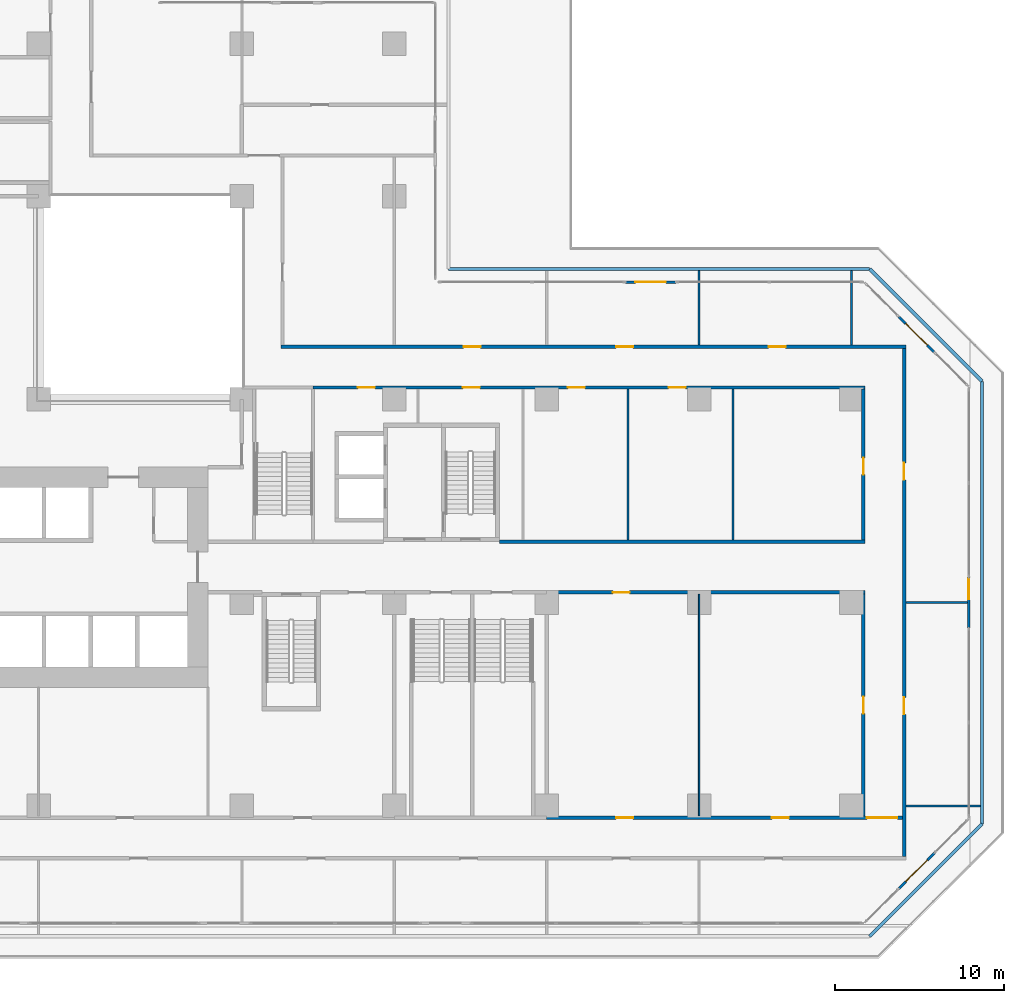
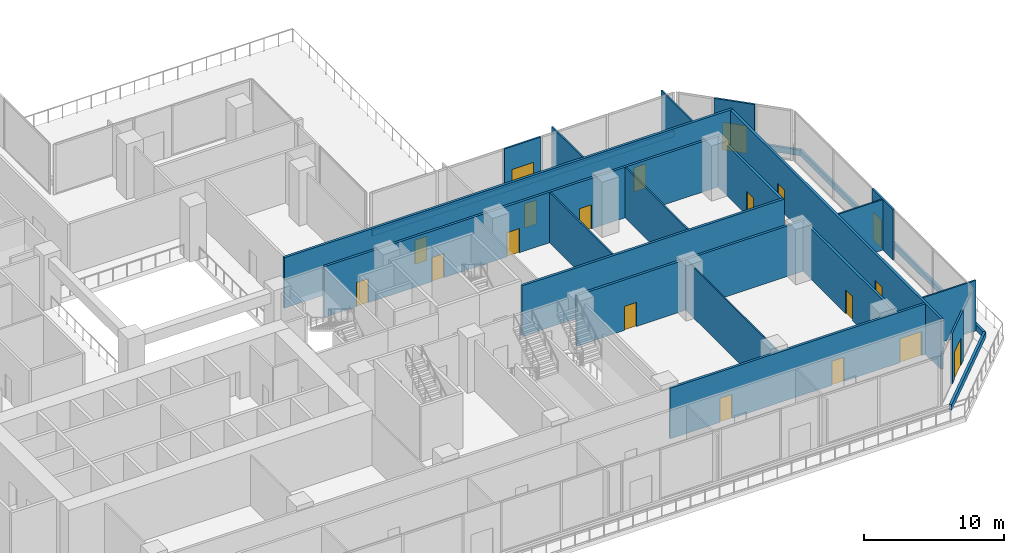
# One storey, part 16 of 25: 23 walls, 19 doors, 19 openings.
"""IFC4 building model written with IfcOpenShell, lengths in metres."""

from ifc_helpers import new_model, si_unit, direction, frame, frame_2d, origin, place, context, subcontext, project, spatial, rectangle, extrude, material, layer, layer_set, type_object, element, fill, save


model = new_model("IFC4")

# Units and contexts
model_context = context("Model", 3, precision=1e-05, world=origin(), true_north=direction((0.0, 1.0)))
body_context = subcontext(model_context, "Body", "Model", "MODEL_VIEW")
ifc_project = project(units=[si_unit("LENGTHUNIT", "METRE"), si_unit("AREAUNIT", "SQUARE_METRE"), si_unit("VOLUMEUNIT", "CUBIC_METRE"), si_unit("PLANEANGLEUNIT", "RADIAN"), si_unit("MASSUNIT", "GRAM", prefix="KILO")], contexts=[model_context])

# Site, building, storey
site_placement = place(None, origin())
site = spatial("IfcSite", under=ifc_project, at=site_placement, CompositionType="ELEMENT")
building_placement = place(site_placement, origin())
building = spatial("IfcBuilding", under=site, at=building_placement, Name="Chenar Terraces", CompositionType="ELEMENT")
storey_placement = place(building_placement, frame((0.0, 0.0, 21.60009765625)))
storey = spatial("IfcBuildingStorey", under=building, at=storey_placement, Name="L04", CompositionType="ELEMENT", Elevation=21.60009765625)

# Walls
ifc_material_1 = material(Name="Gypsum board on steel studs with mineral wool", Category="steel")
ifc_layer_1 = layer(ifc_material_1, 0.125)
ifc_layer_set_1 = layer_set([ifc_layer_1], Name="Gypsum board on steel studs with mineral wool")
wall_type_1 = type_object("IfcWallType", Name="Acoustic partition 125", PredefinedType="PARTITIONING", material=ifc_layer_set_1)
wall_1_placement = place(storey_placement, frame((58.800048828125, 15.699951171875, 0.0), z_axis=(0.0, 0.0, 1.0), x_axis=(0.0, 1.0, 0.0)))
element("IfcWall", 1, at=wall_1_placement, inside=storey, type_object=wall_type_1, Name="Partition L04-100", PredefinedType="PARTITIONING", context=body_context, shape_type="SweptSolid", body=[
    extrude(rectangle(XDim=8.900146484375, YDim=0.125, at=frame_2d((4.4501953125, 0.0))), origin(), (0.0, 0.0, 1.0), 4.39990234375),
])
wall_2_placement = place(storey_placement, frame((63.0, 27.199951171875, 0.0), z_axis=(0.0, 0.0, 1.0), x_axis=(0.0, 1.0, 0.0)))
element("IfcWall", 2, at=wall_2_placement, inside=storey, type_object=wall_type_1, Name="Partition L04-103", PredefinedType="PARTITIONING", context=body_context, shape_type="SweptSolid", body=[
    extrude(rectangle(XDim=4.400146484375, YDim=0.125, at=frame_2d((2.2001953125, 0.0))), origin(), (0.0, 0.0, 1.0), 4.39990234375),
])
wall_3_placement = place(storey_placement, frame((65.0, 15.699951171875, 0.0), z_axis=(0.0, 0.0, 1.0), x_axis=(0.0, 1.0, 0.0)))
element("IfcWall", 3, at=wall_3_placement, inside=storey, type_object=wall_type_1, Name="Partition L04-104", PredefinedType="PARTITIONING", context=body_context, shape_type="SweptSolid", body=[
    extrude(rectangle(XDim=8.900146484375, YDim=0.125, at=frame_2d((4.4501953125, 0.0))), origin(), (0.0, 0.0, 1.0), 4.39990234375),
])
for number, where, z_axis, x_axis, name in (
    (4, (72.0, 27.199951171875, 0.0), (0.0, 0.0, 1.0), (0.0, 1.0, 0.0), "Partition L04-105"),
    (5, (75.199951171875, 0.0, 0.0), (0.0, 0.0, 1.0), (1.0, 0.0, 0.0), "Partition L04-109"),
):
    element("IfcWall", number, at=place(storey_placement, frame(where, z_axis=z_axis, x_axis=x_axis)), inside=storey, type_object=wall_type_1, Name=name, PredefinedType="PARTITIONING", context=body_context, shape_type="SweptSolid", body=[
        extrude(rectangle(XDim=4.400146484375, YDim=0.125, at=frame_2d((2.2001953125, 0.0))), origin(), (0.0, 0.0, 1.0), 4.39990234375),
    ])
wall_4_placement = place(storey_placement, frame((75.199951171875, 12.0, 0.0), z_axis=(0.0, 0.0, 1.0), x_axis=(1.0, 0.0, 0.0)))
element("IfcWall", 6, at=wall_4_placement, inside=storey, type_object=wall_type_1, Name="Partition L04-110", PredefinedType="PARTITIONING", context=body_context, shape_type="SweptSolid", body=[
    extrude(rectangle(XDim=3.651123046875, YDim=0.125, at=frame_2d((1.82568359375, 0.0))), origin(), (0.0, 0.0, 1.0), 4.39990234375),
])

# Wall, openings, doors
ifc_material_2 = material(Name="Gypsum board on steel studs with fire boards", Category="steel")
ifc_layer_2 = layer(ifc_material_2, 0.199951171875)
ifc_layer_set_2 = layer_set([ifc_layer_2], Name="Gypsum board on steel studs with fire boards")
wall_type_2 = type_object("IfcWallType", Name="Corridor wall 200", PredefinedType="PARTITIONING", material=ifc_layer_set_2)
wall_5_placement = place(storey_placement, frame((38.300048828125, 27.10009765625, 0.0), z_axis=(0.0, 0.0, 1.0), x_axis=(1.0, 0.0, 0.0)))
wall_5 = element("IfcWall", 7, at=wall_5_placement, inside=storey, type_object=wall_type_2, Name="Partition L04-080", PredefinedType="PARTITIONING", context=body_context, shape_type="SweptSolid", body=[
    extrude(rectangle(XDim=36.89990234375, YDim=0.199951171875, at=frame_2d((18.449951171875, 0.0))), origin(), (0.0, 0.0, 1.0), 4.39990234375),
])
opening_1_placement = place(wall_5_placement, frame((10.800048828125, 0.0, 0.0)))
opening_1 = element("IfcOpeningElement", 8, at=opening_1_placement, cuts=wall_5, Name="Opening DL04-24", PredefinedType="OPENING", context=body_context, shape_type="SweptSolid", body=[
    extrude(rectangle(XDim=1.0, YDim=2.10009765625, at=frame_2d((0.5, 1.050048828125))), frame((0.0, 0.10986328125, 0.0), z_axis=(0.0, -1.0, 0.0), x_axis=(1.0, 0.0, 0.0)), (0.0, 0.0, 1.0), 0.219970703125),
])
opening_2_placement = place(wall_5_placement, frame((19.800048828125, 0.0, 0.0)))
opening_2 = element("IfcOpeningElement", 9, at=opening_2_placement, cuts=wall_5, Name="Opening DL04-25", PredefinedType="OPENING", context=body_context, shape_type="SweptSolid", body=[
    extrude(rectangle(XDim=1.0, YDim=2.10009765625, at=frame_2d((0.5, 1.050048828125))), frame((0.0, 0.10986328125, 0.0), z_axis=(0.0, -1.0, 0.0), x_axis=(1.0, 0.0, 0.0)), (0.0, 0.0, 1.0), 0.219970703125),
])
opening_3_placement = place(wall_5_placement, frame((28.800048828125, 0.0, 0.0)))
opening_3 = element("IfcOpeningElement", 10, at=opening_3_placement, cuts=wall_5, Name="Opening DL04-26", PredefinedType="OPENING", context=body_context, shape_type="SweptSolid", body=[
    extrude(rectangle(XDim=1.0, YDim=2.10009765625, at=frame_2d((0.5, 1.050048828125))), frame((0.0, 0.10986328125, 0.0), z_axis=(0.0, -1.0, 0.0), x_axis=(1.0, 0.0, 0.0)), (0.0, 0.0, 1.0), 0.219970703125),
])
ifc_material_3 = material(Name="Steel-framed fire-resisting door leaf", Category="steel")
door_type_1 = type_object("IfcDoorType", Name="Fire door FD60 1000 x 2100", OperationType="SINGLE_SWING_LEFT", PredefinedType="DOOR", material=ifc_material_3)
door_1_placement = place(opening_1_placement, origin())
door_1 = element("IfcDoor", 11, at=door_1_placement, inside=storey, type_object=door_type_1, Name="Door DL04-24", OperationType="SINGLE_SWING_RIGHT", OverallHeight=2.10009765625, OverallWidth=1.0, PredefinedType="DOOR", context=body_context, shape_type="SweptSolid", body=[
    extrude(rectangle(XDim=1.0, YDim=2.10009765625, at=frame_2d((0.5, 1.050048828125))), frame((0.0, 0.02490234375, 0.0), z_axis=(0.0, -1.0, 0.0), x_axis=(1.0, 0.0, 0.0)), (0.0, 0.0, 1.0), 0.050048828125),
])
fill(opening_1, door_1)
door_2_placement = place(opening_2_placement, origin())
door_2 = element("IfcDoor", 12, at=door_2_placement, inside=storey, type_object=door_type_1, Name="Door DL04-25", OperationType="SINGLE_SWING_RIGHT", OverallHeight=2.10009765625, OverallWidth=1.0, PredefinedType="DOOR", context=body_context, shape_type="SweptSolid", body=[
    extrude(rectangle(XDim=1.0, YDim=2.10009765625, at=frame_2d((0.5, 1.050048828125))), frame((0.0, 0.02490234375, 0.0), z_axis=(0.0, -1.0, 0.0), x_axis=(1.0, 0.0, 0.0)), (0.0, 0.0, 1.0), 0.050048828125),
])
fill(opening_2, door_2)
door_3_placement = place(opening_3_placement, origin())
door_3 = element("IfcDoor", 13, at=door_3_placement, inside=storey, type_object=door_type_1, Name="Door DL04-26", OperationType="SINGLE_SWING_RIGHT", OverallHeight=2.10009765625, OverallWidth=1.0, PredefinedType="DOOR", context=body_context, shape_type="SweptSolid", body=[
    extrude(rectangle(XDim=1.0, YDim=2.10009765625, at=frame_2d((0.5, 1.050048828125))), frame((0.0, 0.02490234375, 0.0), z_axis=(0.0, -1.0, 0.0), x_axis=(1.0, 0.0, 0.0)), (0.0, 0.0, 1.0), 0.050048828125),
])
fill(opening_3, door_3)

wall_6_placement = place(storey_placement, frame((40.199951171875, 24.699951171875, 0.0), z_axis=(0.0, 0.0, 1.0), x_axis=(1.0, 0.0, 0.0)))
wall_6 = element("IfcWall", 14, at=wall_6_placement, inside=storey, type_object=wall_type_2, Name="Partition L04-084", PredefinedType="PARTITIONING", context=body_context, shape_type="SweptSolid", body=[
    extrude(rectangle(XDim=32.60009765625, YDim=0.199951171875, at=frame_2d((16.300048828125, 0.0))), origin(), (0.0, 0.0, 1.0), 4.39990234375),
])
opening_4_placement = place(wall_6_placement, frame((2.64990234375, 0.0, 0.0)))
opening_4 = element("IfcOpeningElement", 15, at=opening_4_placement, cuts=wall_6, Name="Opening DL04-1", PredefinedType="OPENING", context=body_context, shape_type="SweptSolid", body=[
    extrude(rectangle(XDim=1.0, YDim=2.10009765625, at=frame_2d((0.5, 1.050048828125))), frame((0.0, 0.10986328125, 0.0), z_axis=(0.0, -1.0, 0.0), x_axis=(1.0, 0.0, 0.0)), (0.0, 0.0, 1.0), 0.219970703125),
])
opening_5_placement = place(wall_6_placement, frame((8.85009765625, 0.0, 0.0)))
opening_5 = element("IfcOpeningElement", 16, at=opening_5_placement, cuts=wall_6, Name="Opening DL04-2", PredefinedType="OPENING", context=body_context, shape_type="SweptSolid", body=[
    extrude(rectangle(XDim=1.0, YDim=2.10009765625, at=frame_2d((0.5, 1.050048828125))), frame((0.0, 0.10986328125, 0.0), z_axis=(0.0, -1.0, 0.0), x_axis=(1.0, 0.0, 0.0)), (0.0, 0.0, 1.0), 0.219970703125),
])
opening_6_placement = place(wall_6_placement, frame((15.050048828125, 0.0, 0.0)))
opening_6 = element("IfcOpeningElement", 17, at=opening_6_placement, cuts=wall_6, Name="Opening DL04-3", PredefinedType="OPENING", context=body_context, shape_type="SweptSolid", body=[
    extrude(rectangle(XDim=1.0, YDim=2.10009765625, at=frame_2d((0.5, 1.050048828125))), frame((0.0, 0.10986328125, 0.0), z_axis=(0.0, -1.0, 0.0), x_axis=(1.0, 0.0, 0.0)), (0.0, 0.0, 1.0), 0.219970703125),
])
opening_7_placement = place(wall_6_placement, frame((21.0, 0.0, 0.0)))
opening_7 = element("IfcOpeningElement", 18, at=opening_7_placement, cuts=wall_6, Name="Opening DL04-4", PredefinedType="OPENING", context=body_context, shape_type="SweptSolid", body=[
    extrude(rectangle(XDim=1.0, YDim=2.10009765625, at=frame_2d((0.5, 1.050048828125))), frame((0.0, 0.10986328125, 0.0), z_axis=(0.0, -1.0, 0.0), x_axis=(1.0, 0.0, 0.0)), (0.0, 0.0, 1.0), 0.219970703125),
])
door_4_placement = place(opening_4_placement, frame((1.0, 0.0, 0.0), z_axis=(0.0, 0.0, 1.0), x_axis=(-1.0, 0.0, 0.0)))
door_4 = element("IfcDoor", 19, at=door_4_placement, inside=storey, type_object=door_type_1, Name="Door DL04-1", OperationType="SINGLE_SWING_LEFT", OverallHeight=2.10009765625, OverallWidth=1.0, PredefinedType="DOOR", context=body_context, shape_type="SweptSolid", body=[
    extrude(rectangle(XDim=1.0, YDim=2.10009765625, at=frame_2d((0.5, 1.050048828125))), frame((0.0, 0.02490234375, 0.0), z_axis=(0.0, -1.0, 0.0), x_axis=(1.0, 0.0, 0.0)), (0.0, 0.0, 1.0), 0.050048828125),
])
fill(opening_4, door_4)
door_5_placement = place(opening_5_placement, frame((1.0, 0.0, 0.0), z_axis=(0.0, 0.0, 1.0), x_axis=(-1.0, 0.0, 0.0)))
door_5 = element("IfcDoor", 20, at=door_5_placement, inside=storey, type_object=door_type_1, Name="Door DL04-2", OperationType="SINGLE_SWING_LEFT", OverallHeight=2.10009765625, OverallWidth=1.0, PredefinedType="DOOR", context=body_context, shape_type="SweptSolid", body=[
    extrude(rectangle(XDim=1.0, YDim=2.10009765625, at=frame_2d((0.5, 1.050048828125))), frame((0.0, 0.02490234375, 0.0), z_axis=(0.0, -1.0, 0.0), x_axis=(1.0, 0.0, 0.0)), (0.0, 0.0, 1.0), 0.050048828125),
])
fill(opening_5, door_5)
door_6_placement = place(opening_6_placement, frame((1.0, 0.0, 0.0), z_axis=(0.0, 0.0, 1.0), x_axis=(-1.0, 0.0, 0.0)))
door_6 = element("IfcDoor", 21, at=door_6_placement, inside=storey, type_object=door_type_1, Name="Door DL04-3", OperationType="SINGLE_SWING_RIGHT", OverallHeight=2.10009765625, OverallWidth=1.0, PredefinedType="DOOR", context=body_context, shape_type="SweptSolid", body=[
    extrude(rectangle(XDim=1.0, YDim=2.10009765625, at=frame_2d((0.5, 1.050048828125))), frame((0.0, 0.02490234375, 0.0), z_axis=(0.0, -1.0, 0.0), x_axis=(1.0, 0.0, 0.0)), (0.0, 0.0, 1.0), 0.050048828125),
])
fill(opening_6, door_6)
door_7_placement = place(opening_7_placement, frame((1.0, 0.0, 0.0), z_axis=(0.0, 0.0, 1.0), x_axis=(-1.0, 0.0, 0.0)))
door_7 = element("IfcDoor", 22, at=door_7_placement, inside=storey, type_object=door_type_1, Name="Door DL04-4", OperationType="SINGLE_SWING_LEFT", OverallHeight=2.10009765625, OverallWidth=1.0, PredefinedType="DOOR", context=body_context, shape_type="SweptSolid", body=[
    extrude(rectangle(XDim=1.0, YDim=2.10009765625, at=frame_2d((0.5, 1.050048828125))), frame((0.0, 0.02490234375, 0.0), z_axis=(0.0, -1.0, 0.0), x_axis=(1.0, 0.0, 0.0)), (0.0, 0.0, 1.0), 0.050048828125),
])
fill(opening_7, door_7)

# Wall
wall_7_placement = place(storey_placement, frame((51.22509765625, 15.60009765625, 0.0), z_axis=(0.0, 0.0, 1.0), x_axis=(1.0, 0.0, 0.0)))
element("IfcWall", 23, at=wall_7_placement, inside=storey, type_object=wall_type_2, Name="Partition L04-093", PredefinedType="PARTITIONING", context=body_context, shape_type="SweptSolid", body=[
    extrude(rectangle(XDim=21.574951171875, YDim=0.199951171875, at=frame_2d((10.78759765625, 0.0))), origin(), (0.0, 0.0, 1.0), 4.39990234375),
])

# Wall, openings, doors
wall_8_placement = place(storey_placement, frame((54.0, -0.699951171875, 0.0), z_axis=(0.0, 0.0, 1.0), x_axis=(1.0, 0.0, 0.0)))
wall_8 = element("IfcWall", 24, at=wall_8_placement, inside=storey, type_object=wall_type_2, Name="Partition L04-096", PredefinedType="PARTITIONING", context=body_context, shape_type="SweptSolid", body=[
    extrude(rectangle(XDim=21.0, YDim=0.199951171875, at=frame_2d((10.5, 0.0))), origin(), (0.0, 0.0, 1.0), 4.39990234375),
])
opening_8_placement = place(wall_8_placement, frame((4.10009765625, 0.0, 0.0)))
opening_8 = element("IfcOpeningElement", 25, at=opening_8_placement, cuts=wall_8, Name="Opening DL04-9", PredefinedType="OPENING", context=body_context, shape_type="SweptSolid", body=[
    extrude(rectangle(XDim=1.0, YDim=2.10009765625, at=frame_2d((0.5, 1.050048828125))), frame((0.0, 0.10986328125, 0.0), z_axis=(0.0, -1.0, 0.0), x_axis=(1.0, 0.0, 0.0)), (0.0, 0.0, 1.0), 0.219970703125),
])
opening_9_placement = place(wall_8_placement, frame((13.300048828125, 0.0, 0.0)))
opening_9 = element("IfcOpeningElement", 26, at=opening_9_placement, cuts=wall_8, Name="Opening DL04-11", PredefinedType="OPENING", context=body_context, shape_type="SweptSolid", body=[
    extrude(rectangle(XDim=1.0, YDim=2.10009765625, at=frame_2d((0.5, 1.050048828125))), frame((0.0, 0.10986328125, 0.0), z_axis=(0.0, -1.0, 0.0), x_axis=(1.0, 0.0, 0.0)), (0.0, 0.0, 1.0), 0.219970703125),
])
opening_10_placement = place(wall_8_placement, frame((18.89990234375, 0.0, 0.0)))
opening_10 = element("IfcOpeningElement", 27, at=opening_10_placement, cuts=wall_8, Name="Opening DL04-31", PredefinedType="OPENING", context=body_context, shape_type="SweptSolid", body=[
    extrude(rectangle(XDim=1.800048828125, YDim=2.10009765625, at=frame_2d((0.89990234375, 1.050048828125))), frame((0.0, 0.10986328125, 0.0), z_axis=(0.0, -1.0, 0.0), x_axis=(1.0, 0.0, 0.0)), (0.0, 0.0, 1.0), 0.219970703125),
])
door_8_placement = place(opening_8_placement, frame((1.0, 0.0, 0.0), z_axis=(0.0, 0.0, 1.0), x_axis=(-1.0, 0.0, 0.0)))
door_8 = element("IfcDoor", 28, at=door_8_placement, inside=storey, type_object=door_type_1, Name="Door DL04-9", OperationType="SINGLE_SWING_RIGHT", OverallHeight=2.10009765625, OverallWidth=1.0, PredefinedType="DOOR", context=body_context, shape_type="SweptSolid", body=[
    extrude(rectangle(XDim=1.0, YDim=2.10009765625, at=frame_2d((0.5, 1.050048828125))), frame((0.0, 0.02490234375, 0.0), z_axis=(0.0, -1.0, 0.0), x_axis=(1.0, 0.0, 0.0)), (0.0, 0.0, 1.0), 0.050048828125),
])
fill(opening_8, door_8)
door_9_placement = place(opening_9_placement, origin())
door_9 = element("IfcDoor", 29, at=door_9_placement, inside=storey, type_object=door_type_1, Name="Door DL04-11", OperationType="SINGLE_SWING_LEFT", OverallHeight=2.10009765625, OverallWidth=1.0, PredefinedType="DOOR", context=body_context, shape_type="SweptSolid", body=[
    extrude(rectangle(XDim=1.0, YDim=2.10009765625, at=frame_2d((0.5, 1.050048828125))), frame((0.0, 0.02490234375, 0.0), z_axis=(0.0, -1.0, 0.0), x_axis=(1.0, 0.0, 0.0)), (0.0, 0.0, 1.0), 0.050048828125),
])
fill(opening_9, door_9)
ifc_material_4 = material(Name="Steel-framed fire-resisting door leaf", Category="steel")
door_type_2 = type_object("IfcDoorType", Name="Fire double door FD60 1800 x 2100", OperationType="DOUBLE_DOOR_SINGLE_SWING", PredefinedType="DOOR", material=ifc_material_4)
door_10_placement = place(opening_10_placement, frame((1.800048828125, 0.0, 0.0), z_axis=(0.0, 0.0, 1.0), x_axis=(-1.0, 0.0, 0.0)))
door_10 = element("IfcDoor", 30, at=door_10_placement, inside=storey, type_object=door_type_2, Name="Door DL04-31", OperationType="DOUBLE_DOOR_SINGLE_SWING", OverallHeight=2.10009765625, OverallWidth=1.800048828125, PredefinedType="DOOR", context=body_context, shape_type="SweptSolid", body=[
    extrude(rectangle(XDim=1.800048828125, YDim=2.10009765625, at=frame_2d((0.89990234375, 1.050048828125))), frame((0.0, 0.02490234375, 0.0), z_axis=(0.0, -1.0, 0.0), x_axis=(1.0, 0.0, 0.0)), (0.0, 0.0, 1.0), 0.050048828125),
])
fill(opening_10, door_10)

# Wall, opening, door
wall_9_placement = place(storey_placement, frame((54.0, 12.60009765625, 0.0), z_axis=(0.0, 0.0, 1.0), x_axis=(1.0, 0.0, 0.0)))
wall_9 = element("IfcWall", 31, at=wall_9_placement, inside=storey, type_object=wall_type_2, Name="Partition L04-098", PredefinedType="PARTITIONING", context=body_context, shape_type="SweptSolid", body=[
    extrude(rectangle(XDim=18.800048828125, YDim=0.199951171875, at=frame_2d((9.39990234375, 0.0))), origin(), (0.0, 0.0, 1.0), 4.39990234375),
])
opening_11_placement = place(wall_9_placement, frame((3.89990234375, 0.0, 0.0)))
opening_11 = element("IfcOpeningElement", 32, at=opening_11_placement, cuts=wall_9, Name="Opening DL04-8", PredefinedType="OPENING", context=body_context, shape_type="SweptSolid", body=[
    extrude(rectangle(XDim=1.0, YDim=2.10009765625, at=frame_2d((0.5, 1.050048828125))), frame((0.0, 0.10986328125, 0.0), z_axis=(0.0, -1.0, 0.0), x_axis=(1.0, 0.0, 0.0)), (0.0, 0.0, 1.0), 0.219970703125),
])
door_11_placement = place(opening_11_placement, origin())
door_11 = element("IfcDoor", 33, at=door_11_placement, inside=storey, type_object=door_type_1, Name="Door DL04-8", OperationType="SINGLE_SWING_LEFT", OverallHeight=2.10009765625, OverallWidth=1.0, PredefinedType="DOOR", context=body_context, shape_type="SweptSolid", body=[
    extrude(rectangle(XDim=1.0, YDim=2.10009765625, at=frame_2d((0.5, 1.050048828125))), frame((0.0, 0.02490234375, 0.0), z_axis=(0.0, -1.0, 0.0), x_axis=(1.0, 0.0, 0.0)), (0.0, 0.0, 1.0), 0.050048828125),
])
fill(opening_11, door_11)

wall_10_placement = place(storey_placement, frame((72.699951171875, -0.60009765625, 0.0), z_axis=(0.0, 0.0, 1.0), x_axis=(0.0, 1.0, 0.0)))
wall_10 = element("IfcWall", 34, at=wall_10_placement, inside=storey, type_object=wall_type_2, Name="Partition L04-106", PredefinedType="PARTITIONING", context=body_context, shape_type="SweptSolid", body=[
    extrude(rectangle(XDim=13.10009765625, YDim=0.199951171875, at=frame_2d((6.550048828125, 0.0))), origin(), (0.0, 0.0, 1.0), 4.39990234375),
])
opening_12_placement = place(wall_10_placement, frame((6.050048828125, 0.0, 0.0)))
opening_12 = element("IfcOpeningElement", 35, at=opening_12_placement, cuts=wall_10, Name="Opening DL04-10", PredefinedType="OPENING", context=body_context, shape_type="SweptSolid", body=[
    extrude(rectangle(XDim=1.0, YDim=2.10009765625, at=frame_2d((0.5, 1.050048828125))), frame((0.0, 0.10986328125, 0.0), z_axis=(0.0, -1.0, 0.0), x_axis=(1.0, 0.0, 0.0)), (0.0, 0.0, 1.0), 0.219970703125),
])
door_12_placement = place(opening_12_placement, origin())
door_12 = element("IfcDoor", 36, at=door_12_placement, inside=storey, type_object=door_type_1, Name="Door DL04-10", OperationType="SINGLE_SWING_RIGHT", OverallHeight=2.10009765625, OverallWidth=1.0, PredefinedType="DOOR", context=body_context, shape_type="SweptSolid", body=[
    extrude(rectangle(XDim=1.0, YDim=2.10009765625, at=frame_2d((0.5, 1.050048828125))), frame((0.0, 0.02490234375, 0.0), z_axis=(0.0, -1.0, 0.0), x_axis=(1.0, 0.0, 0.0)), (0.0, 0.0, 1.0), 0.050048828125),
])
fill(opening_12, door_12)

wall_11_placement = place(storey_placement, frame((72.699951171875, 15.699951171875, 0.0), z_axis=(0.0, 0.0, 1.0), x_axis=(0.0, 1.0, 0.0)))
wall_11 = element("IfcWall", 37, at=wall_11_placement, inside=storey, type_object=wall_type_2, Name="Partition L04-107", PredefinedType="PARTITIONING", context=body_context, shape_type="SweptSolid", body=[
    extrude(rectangle(XDim=8.900146484375, YDim=0.199951171875, at=frame_2d((4.4501953125, 0.0))), origin(), (0.0, 0.0, 1.0), 4.39990234375),
])
opening_13_placement = place(wall_11_placement, frame((3.85009765625, 0.0, 0.0)))
opening_13 = element("IfcOpeningElement", 38, at=opening_13_placement, cuts=wall_11, Name="Opening DL04-5", PredefinedType="OPENING", context=body_context, shape_type="SweptSolid", body=[
    extrude(rectangle(XDim=1.0, YDim=2.10009765625, at=frame_2d((0.5, 1.050048828125))), frame((0.0, 0.10986328125, 0.0), z_axis=(0.0, -1.0, 0.0), x_axis=(1.0, 0.0, 0.0)), (0.0, 0.0, 1.0), 0.219970703125),
])
door_13_placement = place(opening_13_placement, origin())
door_13 = element("IfcDoor", 39, at=door_13_placement, inside=storey, type_object=door_type_1, Name="Door DL04-5", OperationType="SINGLE_SWING_RIGHT", OverallHeight=2.10009765625, OverallWidth=1.0, PredefinedType="DOOR", context=body_context, shape_type="SweptSolid", body=[
    extrude(rectangle(XDim=1.0, YDim=2.10009765625, at=frame_2d((0.5, 1.050048828125))), frame((0.0, 0.02490234375, 0.0), z_axis=(0.0, -1.0, 0.0), x_axis=(1.0, 0.0, 0.0)), (0.0, 0.0, 1.0), 0.050048828125),
])
fill(opening_13, door_13)

# Wall, openings, doors
wall_12_placement = place(storey_placement, frame((75.10009765625, -3.0, 0.0), z_axis=(0.0, 0.0, 1.0), x_axis=(0.0, 1.0, 0.0)))
wall_12 = element("IfcWall", 40, at=wall_12_placement, inside=storey, type_object=wall_type_2, Name="Partition L04-108", PredefinedType="PARTITIONING", context=body_context, shape_type="SweptSolid", body=[
    extrude(rectangle(XDim=30.0, YDim=0.199951171875, at=frame_2d((15.0, 0.0))), origin(), (0.0, 0.0, 1.0), 4.39990234375),
])
opening_14_placement = place(wall_12_placement, frame((8.39990234375, 0.0, 0.0)))
opening_14 = element("IfcOpeningElement", 41, at=opening_14_placement, cuts=wall_12, Name="Opening DL04-39", PredefinedType="OPENING", context=body_context, shape_type="SweptSolid", body=[
    extrude(rectangle(XDim=1.0, YDim=2.10009765625, at=frame_2d((0.5, 1.050048828125))), frame((0.0, 0.10986328125, 0.0), z_axis=(0.0, -1.0, 0.0), x_axis=(1.0, 0.0, 0.0)), (0.0, 0.0, 1.0), 0.219970703125),
])
opening_15_placement = place(wall_12_placement, frame((22.25, 0.0, 0.0)))
opening_15 = element("IfcOpeningElement", 42, at=opening_15_placement, cuts=wall_12, Name="Opening DL04-40", PredefinedType="OPENING", context=body_context, shape_type="SweptSolid", body=[
    extrude(rectangle(XDim=1.0, YDim=2.10009765625, at=frame_2d((0.5, 1.050048828125))), frame((0.0, 0.10986328125, 0.0), z_axis=(0.0, -1.0, 0.0), x_axis=(1.0, 0.0, 0.0)), (0.0, 0.0, 1.0), 0.219970703125),
])
door_14_placement = place(opening_14_placement, frame((1.0, 0.0, 0.0), z_axis=(0.0, 0.0, 1.0), x_axis=(-1.0, 0.0, 0.0)))
door_14 = element("IfcDoor", 43, at=door_14_placement, inside=storey, type_object=door_type_1, Name="Door DL04-39", OperationType="SINGLE_SWING_LEFT", OverallHeight=2.10009765625, OverallWidth=1.0, PredefinedType="DOOR", context=body_context, shape_type="SweptSolid", body=[
    extrude(rectangle(XDim=1.0, YDim=2.10009765625, at=frame_2d((0.5, 1.050048828125))), frame((0.0, 0.02490234375, 0.0), z_axis=(0.0, -1.0, 0.0), x_axis=(1.0, 0.0, 0.0)), (0.0, 0.0, 1.0), 0.050048828125),
])
fill(opening_14, door_14)
door_15_placement = place(opening_15_placement, frame((1.0, 0.0, 0.0), z_axis=(0.0, 0.0, 1.0), x_axis=(-1.0, 0.0, 0.0)))
door_15 = element("IfcDoor", 44, at=door_15_placement, inside=storey, type_object=door_type_1, Name="Door DL04-40", OperationType="SINGLE_SWING_LEFT", OverallHeight=2.10009765625, OverallWidth=1.0, PredefinedType="DOOR", context=body_context, shape_type="SweptSolid", body=[
    extrude(rectangle(XDim=1.0, YDim=2.10009765625, at=frame_2d((0.5, 1.050048828125))), frame((0.0, 0.02490234375, 0.0), z_axis=(0.0, -1.0, 0.0), x_axis=(1.0, 0.0, 0.0)), (0.0, 0.0, 1.0), 0.050048828125),
])
fill(opening_15, door_15)

# Wall
ifc_material_5 = material(Name="Gypsum board on steel studs", Category="steel")
ifc_layer_3 = layer(ifc_material_5, 0.10009765625)
ifc_layer_set_3 = layer_set([ifc_layer_3], Name="Gypsum board on steel studs")
wall_type_3 = type_object("IfcWallType", Name="Gypsum partition 100", PredefinedType="PARTITIONING", material=ifc_layer_set_3)
wall_13_placement = place(storey_placement, frame((63.0, -0.60009765625, 0.0), z_axis=(0.0, 0.0, 1.0), x_axis=(0.0, 1.0, 0.0)))
element("IfcWall", 45, at=wall_13_placement, inside=storey, type_object=wall_type_3, Name="Partition L04-102", PredefinedType="PARTITIONING", context=body_context, shape_type="SweptSolid", body=[
    extrude(rectangle(XDim=13.10009765625, YDim=0.10009765625, at=frame_2d((6.550048828125, 0.0))), origin(), (0.0, 0.0, 1.0), 4.39990234375),
])

# Wall, opening, door
ifc_material_6 = material(Name="Aluminium framed glazing", Category="aluminium")
ifc_layer_4 = layer(ifc_material_6, 0.14990234375)
ifc_layer_set_4 = layer_set([ifc_layer_4], Name="Aluminium framed glazing")
wall_type_4 = type_object("IfcWallType", Name="Podium glazed wall 150", PredefinedType="SOLIDWALL", material=ifc_layer_set_4)
wall_14_placement = place(storey_placement, frame((74.775390625, -4.896728515625, 0.0), z_axis=(0.0, 0.0, 1.0), x_axis=(0.707106781187, 0.707106781187, 0.0)))
wall_14 = element("IfcWall", 46, at=wall_14_placement, inside=storey, type_object=wall_type_4, Name="Podium glazed wall", PredefinedType="SOLIDWALL", context=body_context, shape_type="SweptSolid", body=[
    extrude(rectangle(XDim=3.0, YDim=0.14990234375, at=frame_2d((1.5, 0.0))), origin(), (0.0, 0.0, 1.0), 4.39990234375),
])
opening_16_placement = place(wall_14_placement, frame((0.60009765625, 0.0, 0.0)))
opening_16 = element("IfcOpeningElement", 47, at=opening_16_placement, cuts=wall_14, Name="Opening DL04-T1", PredefinedType="OPENING", context=body_context, shape_type="SweptSolid", body=[
    extrude(rectangle(XDim=1.800048828125, YDim=2.39990234375, at=frame_2d((0.89990234375, 1.199951171875))), frame((0.0, 0.0849609375, 0.0), z_axis=(0.0, -1.0, 0.0), x_axis=(1.0, 0.0, 0.0)), (0.0, 0.0, 1.0), 0.169921875),
])
ifc_material_7 = material(Name="Low emissivity double glazing, aluminium frame", Category="aluminium")
door_type_3 = type_object("IfcDoorType", Name="Terrace glazed double door 1800 x 2400", OperationType="DOUBLE_DOOR_SINGLE_SWING", PredefinedType="DOOR", material=ifc_material_7)
door_16_placement = place(opening_16_placement, origin())
door_16 = element("IfcDoor", 48, at=door_16_placement, inside=storey, type_object=door_type_3, Name="Terrace glazed door", OperationType="DOUBLE_DOOR_SINGLE_SWING", OverallHeight=2.39990234375, OverallWidth=1.800048828125, PredefinedType="DOOR", context=body_context, shape_type="SweptSolid", body=[
    extrude(rectangle(XDim=1.800048828125, YDim=2.39990234375, at=frame_2d((0.89990234375, 1.199951171875))), frame((0.0, 0.02490234375, 0.0), z_axis=(0.0, -1.0, 0.0), x_axis=(1.0, 0.0, 0.0)), (0.0, 0.0, 1.0), 0.050048828125),
])
fill(opening_16, door_16)

wall_15_placement = place(storey_placement, frame((78.925048828125, 10.5, 0.0), z_axis=(0.0, 0.0, 1.0), x_axis=(0.0, 1.0, 0.0)))
wall_15 = element("IfcWall", 49, at=wall_15_placement, inside=storey, type_object=wall_type_4, Name="Podium glazed wall", PredefinedType="SOLIDWALL", context=body_context, shape_type="SweptSolid", body=[
    extrude(rectangle(XDim=3.0, YDim=0.14990234375, at=frame_2d((1.5, 0.0))), origin(), (0.0, 0.0, 1.0), 4.39990234375),
])
opening_17_placement = place(wall_15_placement, frame((1.699951171875, 0.0, 0.0)))
opening_17 = element("IfcOpeningElement", 50, at=opening_17_placement, cuts=wall_15, Name="Opening DL04-T1N", PredefinedType="OPENING", context=body_context, shape_type="SweptSolid", body=[
    extrude(rectangle(XDim=1.199951171875, YDim=2.39990234375, at=frame_2d((0.60009765625, 1.199951171875))), frame((0.0, 0.0849609375, 0.0), z_axis=(0.0, -1.0, 0.0), x_axis=(1.0, 0.0, 0.0)), (0.0, 0.0, 1.0), 0.169921875),
])
ifc_material_8 = material(Name="Low emissivity double glazing, aluminium frame", Category="aluminium")
door_type_4 = type_object("IfcDoorType", Name="Terrace glazed door 1200 x 2400", OperationType="SINGLE_SWING_LEFT", PredefinedType="DOOR", material=ifc_material_8)
door_17_placement = place(opening_17_placement, frame((1.199951171875, 0.0, 0.0), z_axis=(0.0, 0.0, 1.0), x_axis=(-1.0, 0.0, 0.0)))
door_17 = element("IfcDoor", 51, at=door_17_placement, inside=storey, type_object=door_type_4, Name="Terrace glazed door", OperationType="DOUBLE_DOOR_SINGLE_SWING", OverallHeight=2.39990234375, OverallWidth=1.199951171875, PredefinedType="DOOR", context=body_context, shape_type="SweptSolid", body=[
    extrude(rectangle(XDim=1.199951171875, YDim=2.39990234375, at=frame_2d((0.60009765625, 1.199951171875))), frame((0.0, 0.02490234375, 0.0), z_axis=(0.0, -1.0, 0.0), x_axis=(1.0, 0.0, 0.0)), (0.0, 0.0, 1.0), 0.050048828125),
])
fill(opening_17, door_17)

wall_16_placement = place(storey_placement, frame((76.896728515625, 26.775390625, 0.0), z_axis=(0.0, 0.0, 1.0), x_axis=(-0.707106781187, 0.707106781187, 0.0)))
wall_16 = element("IfcWall", 52, at=wall_16_placement, inside=storey, type_object=wall_type_4, Name="Podium glazed wall", PredefinedType="SOLIDWALL", context=body_context, shape_type="SweptSolid", body=[
    extrude(rectangle(XDim=3.0, YDim=0.14990234375, at=frame_2d((1.5, 0.0))), origin(), (0.0, 0.0, 1.0), 4.39990234375),
])
opening_18_placement = place(wall_16_placement, frame((0.60009765625, 0.0, 0.0)))
opening_18 = element("IfcOpeningElement", 53, at=opening_18_placement, cuts=wall_16, Name="Opening DL04-T1", PredefinedType="OPENING", context=body_context, shape_type="SweptSolid", body=[
    extrude(rectangle(XDim=1.800048828125, YDim=2.39990234375, at=frame_2d((0.89990234375, 1.199951171875))), frame((0.0, 0.0849609375, 0.0), z_axis=(0.0, -1.0, 0.0), x_axis=(1.0, 0.0, 0.0)), (0.0, 0.0, 1.0), 0.169921875),
])
door_18_placement = place(opening_18_placement, frame((1.800048828125, 0.0, 0.0), z_axis=(0.0, 0.0, 1.0), x_axis=(-1.0, 0.0, 0.0)))
door_18 = element("IfcDoor", 54, at=door_18_placement, inside=storey, type_object=door_type_3, Name="Terrace glazed door", OperationType="DOUBLE_DOOR_SINGLE_SWING", OverallHeight=2.39990234375, OverallWidth=1.800048828125, PredefinedType="DOOR", context=body_context, shape_type="SweptSolid", body=[
    extrude(rectangle(XDim=1.800048828125, YDim=2.39990234375, at=frame_2d((0.89990234375, 1.199951171875))), frame((0.0, 0.02490234375, 0.0), z_axis=(0.0, -1.0, 0.0), x_axis=(1.0, 0.0, 0.0)), (0.0, 0.0, 1.0), 0.050048828125),
])
fill(opening_18, door_18)

wall_17_placement = place(storey_placement, frame((61.63916015625, 30.925048828125, 0.0), z_axis=(0.0, 0.0, 1.0), x_axis=(-1.0, 0.0, 0.0)))
wall_17 = element("IfcWall", 55, at=wall_17_placement, inside=storey, type_object=wall_type_4, Name="Podium glazed wall", PredefinedType="SOLIDWALL", context=body_context, shape_type="SweptSolid", body=[
    extrude(rectangle(XDim=3.0, YDim=0.14990234375, at=frame_2d((1.5, 0.0))), origin(), (0.0, 0.0, 1.0), 4.39990234375),
])
opening_19_placement = place(wall_17_placement, frame((0.60009765625, 0.0, 0.0)))
opening_19 = element("IfcOpeningElement", 56, at=opening_19_placement, cuts=wall_17, Name="Opening DL04-T1", PredefinedType="OPENING", context=body_context, shape_type="SweptSolid", body=[
    extrude(rectangle(XDim=1.800048828125, YDim=2.39990234375, at=frame_2d((0.89990234375, 1.199951171875))), frame((0.0, 0.0849609375, 0.0), z_axis=(0.0, -1.0, 0.0), x_axis=(1.0, 0.0, 0.0)), (0.0, 0.0, 1.0), 0.169921875),
])
door_19_placement = place(opening_19_placement, origin())
door_19 = element("IfcDoor", 57, at=door_19_placement, inside=storey, type_object=door_type_3, Name="Terrace glazed door", OperationType="DOUBLE_DOOR_SINGLE_SWING", OverallHeight=2.39990234375, OverallWidth=1.800048828125, PredefinedType="DOOR", context=body_context, shape_type="SweptSolid", body=[
    extrude(rectangle(XDim=1.800048828125, YDim=2.39990234375, at=frame_2d((0.89990234375, 1.199951171875))), frame((0.0, 0.02490234375, 0.0), z_axis=(0.0, -1.0, 0.0), x_axis=(1.0, 0.0, 0.0)), (0.0, 0.0, 1.0), 0.050048828125),
])
fill(opening_19, door_19)

# Walls
ifc_material_9 = material(Name="Terracotta cladding on insulated backing", Category="masonry")
ifc_layer_5 = layer(ifc_material_9, 0.199951171875)
ifc_layer_set_5 = layer_set([ifc_layer_5], Name="Terracotta cladding on insulated backing")
wall_type_5 = type_object("IfcWallType", Name="Terrace parapet upstand 200", PredefinedType="PARAPET", material=ifc_layer_set_5)
wall_18_placement = place(storey_placement, frame((48.199951171875, 31.699951171875, 0.0), z_axis=(0.0, 0.0, 1.0), x_axis=(1.0, 0.0, 0.0)))
element("IfcWall", 58, at=wall_18_placement, inside=storey, type_object=wall_type_5, Name="Terrace parapet", PredefinedType="PARAPET", context=body_context, shape_type="SweptSolid", body=[
    extrude(rectangle(XDim=24.8681640625, YDim=0.199951171875, at=frame_2d((12.43408203125, 0.0))), origin(), (0.0, 0.0, 1.0), 0.5),
])
wall_19_placement = place(storey_placement, frame((73.068115234375, 31.699951171875, 0.0), z_axis=(0.0, 0.0, 1.0), x_axis=(0.707106781187, -0.707106781187, 0.0)))
element("IfcWall", 59, at=wall_19_placement, inside=storey, type_object=wall_type_5, Name="Terrace parapet", PredefinedType="PARAPET", context=body_context, shape_type="SweptSolid", body=[
    extrude(rectangle(XDim=9.37890625, YDim=0.199951171875, at=frame_2d((4.689453125, 0.0))), origin(), (0.0, 0.0, 1.0), 0.5),
])
wall_20_placement = place(storey_placement, frame((79.699951171875, 25.068115234375, 0.0), z_axis=(0.0, 0.0, 1.0), x_axis=(0.0, -1.0, 0.0)))
element("IfcWall", 60, at=wall_20_placement, inside=storey, type_object=wall_type_5, Name="Terrace parapet", PredefinedType="PARAPET", context=body_context, shape_type="SweptSolid", body=[
    extrude(rectangle(XDim=26.13623046875, YDim=0.199951171875, at=frame_2d((13.068115234375, 0.0))), origin(), (0.0, 0.0, 1.0), 0.5),
])
wall_21_placement = place(storey_placement, frame((79.699951171875, -1.068115234375, 0.0), z_axis=(0.0, 0.0, 1.0), x_axis=(-0.707106781187, -0.707106781187, 0.0)))
element("IfcWall", 61, at=wall_21_placement, inside=storey, type_object=wall_type_5, Name="Terrace parapet", PredefinedType="PARAPET", context=body_context, shape_type="SweptSolid", body=[
    extrude(rectangle(XDim=9.37890625, YDim=0.199951171875, at=frame_2d((4.689453125, 0.0))), origin(), (0.0, 0.0, 1.0), 0.5),
])

save(model, "model.ifc")
